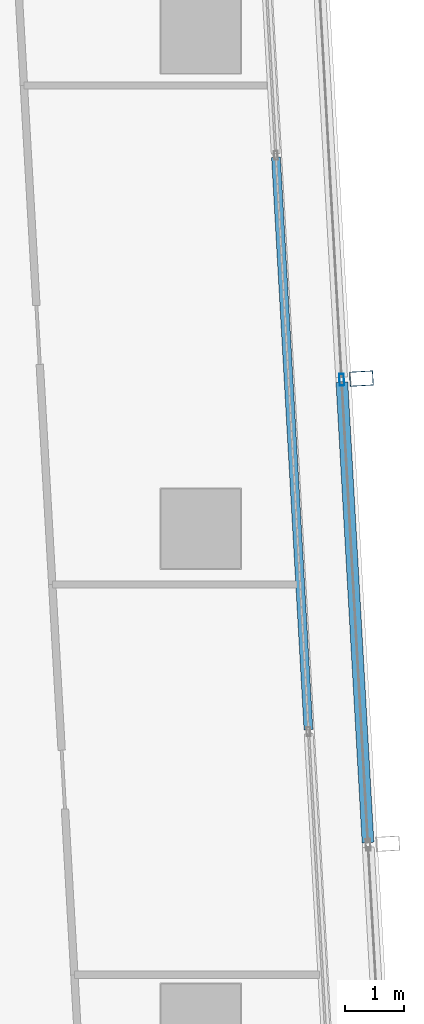
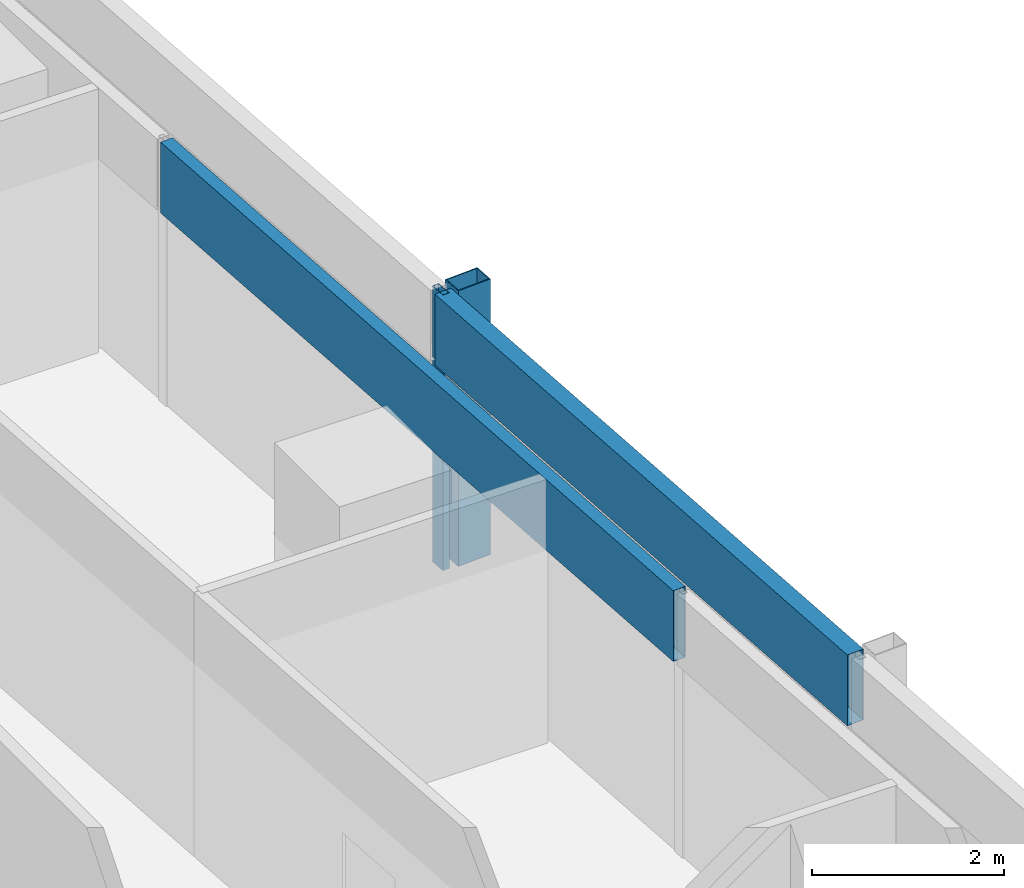
# One storey, part 15 of 38: 4 members, 2 elements without a shape of their own.
"""IFC4 building model written with IfcOpenShell, lengths in metres."""

from ifc_helpers import new_model, si_unit, direction, frame, origin, origin_2d, place, context, subcontext, project, spatial, hollow_rectangle, extrude, material, material_profile, profile_set, type_object, element, aggregate, save


model = new_model("IFC4")

# Units and contexts
model_context = context("Model", 3, precision=1e-05, world=origin(), true_north=direction((0.0, 1.0)))
body_context = subcontext(model_context, "Body", "Model", "MODEL_VIEW")
ifc_project = project(units=[si_unit("LENGTHUNIT", "METRE"), si_unit("AREAUNIT", "SQUARE_METRE"), si_unit("VOLUMEUNIT", "CUBIC_METRE"), si_unit("PLANEANGLEUNIT", "RADIAN"), si_unit("MASSUNIT", "GRAM", prefix="KILO")], contexts=[model_context])

# Site, building, storey
site_placement = place(None, origin())
site = spatial("IfcSite", under=ifc_project, at=site_placement, CompositionType="ELEMENT")
building_placement = place(site_placement, origin())
building = spatial("IfcBuilding", under=site, at=building_placement, Name="Rekha Terrace Tower", CompositionType="ELEMENT")
storey_placement = place(building_placement, frame((0.0, 0.0, 202.699951171875)))
storey = spatial("IfcBuildingStorey", under=building, at=storey_placement, Name="L51", CompositionType="ELEMENT", Elevation=202.699951171875)

# Curtain wall, member
ifc_material_1 = material(Name="Aluminium framing", Category="aluminium")
curtain_wall_type_1 = type_object("IfcCurtainWallType", Name="CW2 double skin outer glazing", PredefinedType="USERDEFINED", material=ifc_material_1)
curtain_wall_1_placement = place(storey_placement, origin())
curtain_wall_1 = element("IfcCurtainWall", 1, at=curtain_wall_1_placement, inside=storey, type_object=curtain_wall_type_1, Name="CW2 double skin outer glazing", ObjectType="DOUBLE SKIN OUTER GLAZING", PredefinedType="USERDEFINED")
ifc_material_2 = material(Name="Steel S355 with fluorocarbon finish", Category="steel")
ifc_material_profile_1 = material_profile(ifc_material_2, hollow_rectangle(XDim=0.25, YDim=0.39990234375, WallThickness=0.012451171875, at=origin_2d()), Name="RHS400x250x12.5")
ifc_profile_set_1 = profile_set([ifc_material_profile_1], Name="Steel S355 with fluorocarbon finish")
member_type_1 = type_object("IfcMemberType", Name="BL1 facade blade RHS 400 x 250", PredefinedType="USERDEFINED", material=ifc_profile_set_1)
member_1_placement = place(storey_placement, frame((61.528076171875, 44.546630859375, 0.0), z_axis=(0.0, 0.0, 1.0), x_axis=(-0.056673619809, 0.998392758797, 0.0)))
member_1 = element("IfcMember", 2, at=member_1_placement, type_object=member_type_1, Name="Facade blade", ObjectType="FACADE BLADE", PredefinedType="USERDEFINED", context=body_context, shape_type="SweptSolid", body=[
    extrude(hollow_rectangle(XDim=0.25, YDim=0.39990234375, WallThickness=0.012451171875, at=origin_2d()), origin(), (0.0, 0.0, 1.0), 3.5),
])

curtain_wall_type_2 = type_object("IfcCurtainWallType", Name="CW1 double skin inner glazing", PredefinedType="USERDEFINED", material=ifc_material_1)
curtain_wall_2_placement = place(storey_placement, origin())
curtain_wall_2 = element("IfcCurtainWall", 3, at=curtain_wall_2_placement, inside=storey, type_object=curtain_wall_type_2, Name="CW1 double skin inner glazing", ObjectType="DOUBLE SKIN INNER GLAZING", PredefinedType="USERDEFINED")
ifc_material_3 = material(Name="Insulated aluminium spandrel box", Category="aluminium")
ifc_material_profile_2 = material_profile(ifc_material_3, hollow_rectangle(XDim=0.14990234375, YDim=0.89990234375, WallThickness=0.0029296875, at=origin_2d()), Name="AL SPANDREL BOX 150x900")
ifc_profile_set_2 = profile_set([ifc_material_profile_2], Name="Insulated aluminium spandrel box")
member_type_2 = type_object("IfcMemberType", Name="CW1 spandrel transom 150 x 900", PredefinedType="USERDEFINED", material=ifc_profile_set_2)
member_2_placement = place(storey_placement, frame((60.629150390625, 38.588134765625, 3.050048828125), z_axis=(-0.056650211304, 0.998394087302, 0.0), x_axis=(-0.998394087302, -0.056650211304, 0.0)))
member_2 = element("IfcMember", 4, at=member_2_placement, type_object=member_type_2, Name="CW1 spandrel transom 2", ObjectType="TRANSOM", PredefinedType="USERDEFINED", context=body_context, shape_type="SweptSolid", body=[
    extrude(hollow_rectangle(XDim=0.14990234375, YDim=0.89990234375, WallThickness=0.0029296875, at=origin_2d()), origin(), (0.0, 0.0, 1.0), 9.726806640625),
])
aggregate(curtain_wall_2, [member_2])

# Member
ifc_material_4 = material(Name="Aluminium mullion section", Category="aluminium")
ifc_material_profile_3 = material_profile(ifc_material_4, hollow_rectangle(XDim=0.080078125, YDim=0.199951171875, WallThickness=0.00390625, at=origin_2d()), Name="AL RHS 80x200")
ifc_profile_set_3 = profile_set([ifc_material_profile_3], Name="Aluminium mullion section")
member_type_3 = type_object("IfcMemberType", Name="CW2 mullion RHS 80 x 200", PredefinedType="MULLION", material=ifc_profile_set_3)
member_3_placement = place(storey_placement, frame((61.193603515625, 44.527587890625, 0.0), z_axis=(0.0, 0.0, 1.0), x_axis=(-0.998392782919, -0.05667319486, 0.0)))
member_3 = element("IfcMember", 5, at=member_3_placement, type_object=member_type_3, Name="CW2 mullion 3", PredefinedType="MULLION", context=body_context, shape_type="SweptSolid", body=[
    extrude(hollow_rectangle(XDim=0.080078125, YDim=0.199951171875, WallThickness=0.00390625, at=origin_2d()), origin(), (0.0, 0.0, 1.0), 3.5),
])

ifc_material_profile_4 = material_profile(ifc_material_3, hollow_rectangle(XDim=0.199951171875, YDim=0.89990234375, WallThickness=0.0029296875, at=origin_2d()), Name="AL SPANDREL BOX 200x900")
ifc_profile_set_4 = profile_set([ifc_material_profile_4], Name="Insulated aluminium spandrel box")
member_type_4 = type_object("IfcMemberType", Name="CW2 spandrel transom 200 x 900", PredefinedType="USERDEFINED", material=ifc_profile_set_4)
member_4_placement = place(storey_placement, frame((61.63916015625, 36.6767578125, 3.050048828125), z_axis=(-0.056669428082, 0.998392996731, 0.0), x_axis=(-0.998392996731, -0.056669428082, 0.0)))
member_4 = element("IfcMember", 6, at=member_4_placement, type_object=member_type_4, Name="CW2 spandrel transom 2", ObjectType="TRANSOM", PredefinedType="USERDEFINED", context=body_context, shape_type="SweptSolid", body=[
    extrude(hollow_rectangle(XDim=0.199951171875, YDim=0.89990234375, WallThickness=0.0029296875, at=origin_2d()), origin(), (0.0, 0.0, 1.0), 7.823486328125),
])

aggregate(curtain_wall_1, [member_3, member_4, member_1])

save(model, "model.ifc")
